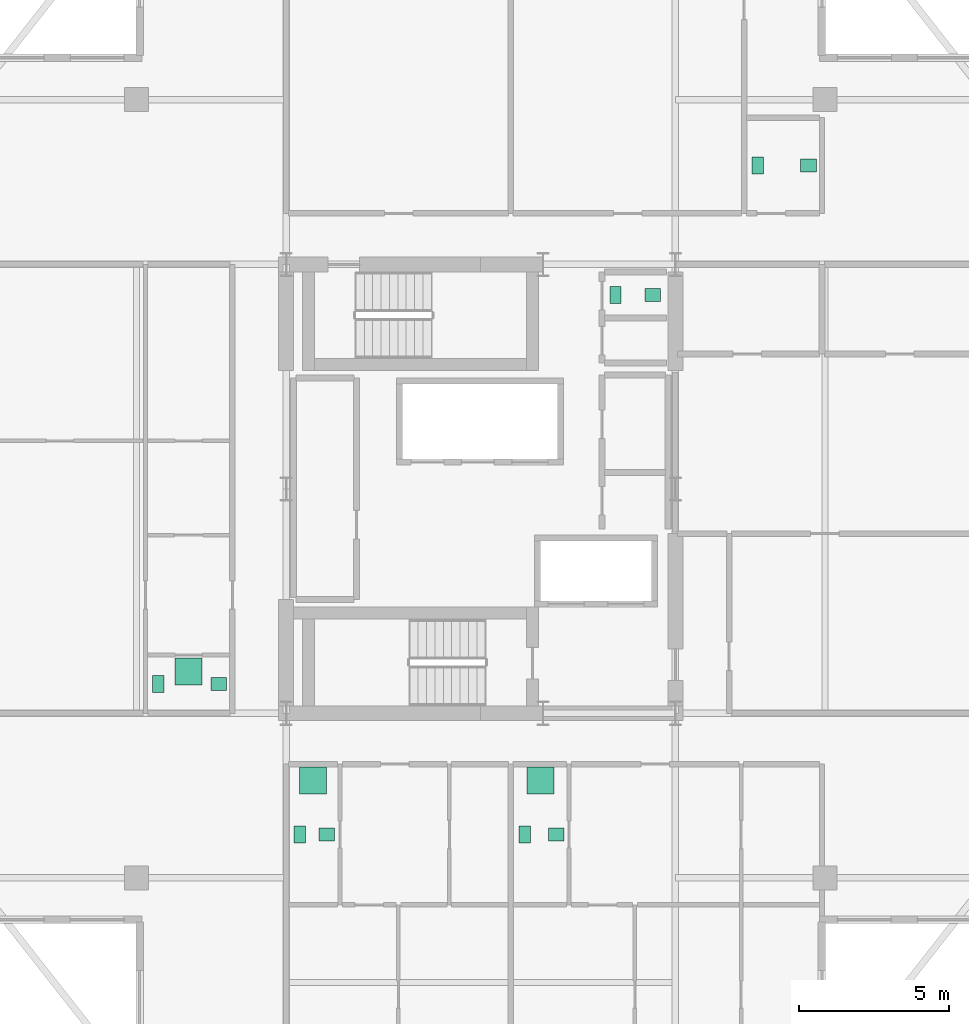
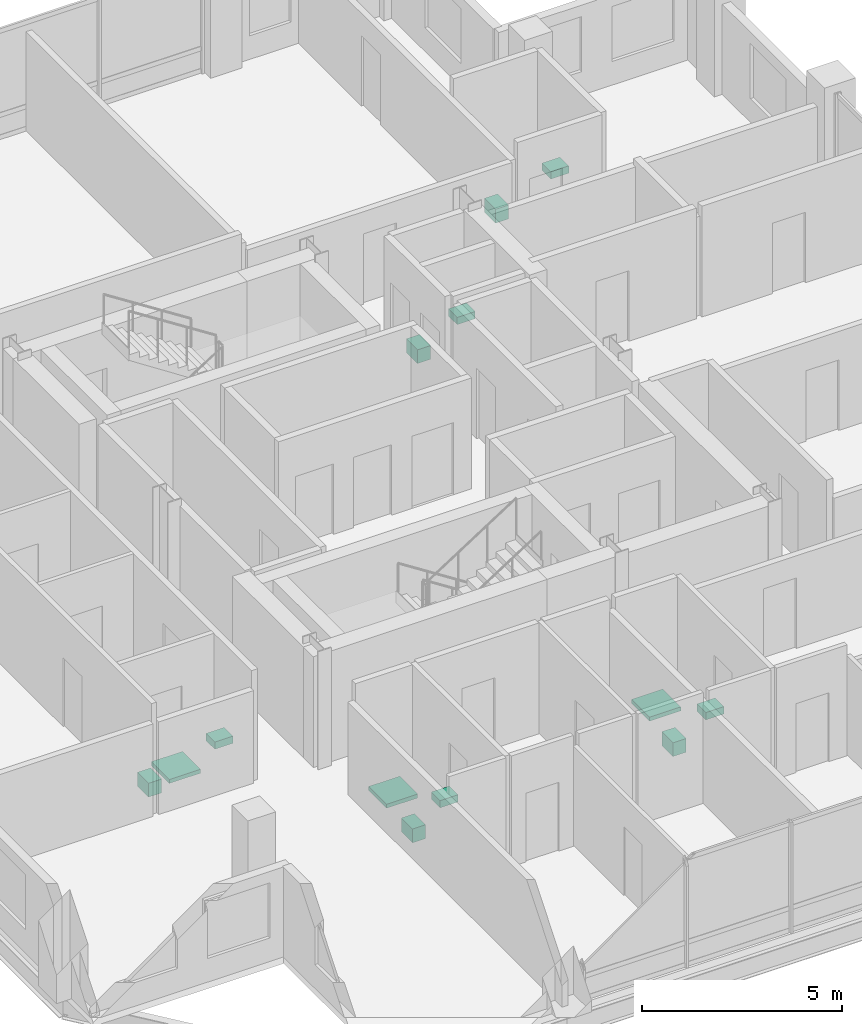
# One storey, part 21 of 21: 13 sanitary terminals.
"""IFC4 building model written with IfcOpenShell, lengths in metres."""

import ifcopenshell
import ifcopenshell.guid

model = None  # the IFC model being written
_history = None  # IfcOwnerHistory: only IFC2X3 demands one
_inside = {}  # id of a spatial element -> (the spatial element, [elements in it])
_under = {}  # id of a project, library or spatial element -> (it, [spatial elements below it])
_declared = {}  # id of a project -> (the project, [libraries it declares])
_typed = {}  # id of a type object -> (the type object, [elements of that type])
_made_of = {}  # id of a material, layer set ... -> (it, [elements and type objects made of it])


def new_model(schema):
    """Start an empty IFC model of exactly this schema.

    Asked for "IFC4X3", IfcOpenShell would pick the latest addendum, in which some entities
    have other attributes; the version numbers below select the first issue.
    IFC2X3 requires an IfcOwnerHistory on every rooted entity: one is made here for all.
    """
    global model, _history
    if schema == "IFC4X3":
        model = ifcopenshell.file(schema_version=(4, 3, 0, 0))
    else:
        model = ifcopenshell.file(schema=schema)
    _inside.clear()
    _under.clear()
    _declared.clear()
    _typed.clear()
    _made_of.clear()
    _history = None
    if model.schema == "IFC2X3":
        org = make("IfcOrganization", Name="unknown")
        user = make(
            "IfcPersonAndOrganization",
            ThePerson=make("IfcPerson", FamilyName="unknown"),
            TheOrganization=org,
        )
        app = make(
            "IfcApplication",
            ApplicationDeveloper=org,
            Version="unknown",
            ApplicationFullName="unknown",
            ApplicationIdentifier="unknown",
        )
        _history = make(
            "IfcOwnerHistory",
            OwningUser=user,
            OwningApplication=app,
            ChangeAction="ADDED",
            CreationDate=0,
        )
    return model


def make(cls, **values):
    """One entity of the class cls with the attributes given. An attribute that is None is left unset."""
    return model.create_entity(
        cls, **{name: value for name, value in values.items() if value is not None}
    )


def rooted(cls, **values):
    """An entity with a GlobalId (a new one), such as an element, a storey or a relation."""
    return make(cls, GlobalId=ifcopenshell.guid.new(), OwnerHistory=_history, **values)


def si_unit(unit_type, name, prefix=None):
    """IfcSIUnit, for example si_unit("LENGTHUNIT", "METRE", prefix="MILLI")."""
    return make("IfcSIUnit", UnitType=unit_type, Prefix=prefix, Name=name)


def assignment(units):
    """IfcUnitAssignment: the units of a project."""
    return None if units is None else make("IfcUnitAssignment", Units=units)


def point(xyz):
    """IfcCartesianPoint."""
    return None if xyz is None else make("IfcCartesianPoint", Coordinates=xyz)


def direction(xyz):
    """IfcDirection."""
    return None if xyz is None else make("IfcDirection", DirectionRatios=xyz)


def frame(location, z_axis=None, x_axis=None):
    """IfcAxis2Placement3D, a coordinate frame: its origin and axes. An axis left out is left unset."""
    return make(
        "IfcAxis2Placement3D",
        Location=point(location),
        Axis=direction(z_axis),
        RefDirection=direction(x_axis),
    )


def frame_2d(location, x_axis=None):
    """IfcAxis2Placement2D, a coordinate frame in the plane: its origin and x axis."""
    return make(
        "IfcAxis2Placement2D", Location=point(location), RefDirection=direction(x_axis)
    )


def origin():
    """The frame at (0, 0, 0) with its axes left unset."""
    return frame((0.0, 0.0, 0.0))


def origin_2d():
    """The frame at (0, 0) in the plane with its x axis left unset."""
    return frame_2d((0.0, 0.0))


def place(relative_to, where):
    """IfcLocalPlacement: puts the frame where relative to a parent placement (None: the world)."""
    return make(
        "IfcLocalPlacement", PlacementRelTo=relative_to, RelativePlacement=where
    )


def context(
    kind, dimensions, precision=None, world=None, true_north=None, identifier=None
):
    """IfcGeometricRepresentationContext, for example the 3D "Model" context."""
    return make(
        "IfcGeometricRepresentationContext",
        ContextIdentifier=identifier,
        ContextType=kind,
        CoordinateSpaceDimension=dimensions,
        Precision=precision,
        WorldCoordinateSystem=world,
        TrueNorth=true_north,
    )


def subcontext(parent, identifier, kind, view, scale=None):
    """IfcGeometricRepresentationSubContext, for example "Body" below "Model"."""
    return make(
        "IfcGeometricRepresentationSubContext",
        ContextIdentifier=identifier,
        ContextType=kind,
        ParentContext=parent,
        TargetScale=scale,
        TargetView=view,
    )


def project(units=None, contexts=None):
    """IfcProject with its units and contexts."""
    return rooted(
        "IfcProject",
        Name="project",
        RepresentationContexts=contexts,
        UnitsInContext=assignment(units),
    )


def spatial(cls, under=None, at=None, **own):
    """A site, building, storey or space (cls), placed at a placement, below another one or the project."""
    s = rooted(cls, ObjectPlacement=at, **own)
    if under is not None:
        _under.setdefault(under.id(), (under, []))[1].append(s)
    return s


def profile(cls, at=None, kind="AREA", **sizes):
    """A parametric profile (cls). Its sizes go by their IFC names, for example OverallWidth=200.0."""
    return make(cls, ProfileType=kind, Position=at, **sizes)


def rectangle(**sizes):
    """IfcRectangleProfileDef."""
    return profile("IfcRectangleProfileDef", **sizes)


def extrude(swept, where, along, depth):
    """IfcExtrudedAreaSolid: the profile swept, set in the frame where, extruded along a direction by depth."""
    return make(
        "IfcExtrudedAreaSolid",
        SweptArea=swept,
        Position=where,
        ExtrudedDirection=direction(along),
        Depth=depth,
    )


def shape(context_of_items, identifier, shape_type, items):
    """IfcShapeRepresentation: the items that make up one representation, for example the "Body"."""
    return make(
        "IfcShapeRepresentation",
        ContextOfItems=context_of_items,
        RepresentationIdentifier=identifier,
        RepresentationType=shape_type,
        Items=items,
    )


def material(Name=None, Category=None):
    """IfcMaterial."""
    return make("IfcMaterial", Name=Name, Category=Category)


def made_of(thing, what):
    """Note that an element or type object is made of a material, layer set ...; save() writes the relation."""
    if what is not None:
        _made_of.setdefault(what.id(), (what, []))[1].append(thing)
    return thing


def type_object(cls, material=None, **own):
    """A type object (cls), such as IfcWallType, which elements share."""
    return made_of(rooted(cls, **own), material)


def element(
    cls,
    number,
    at=None,
    inside=None,
    cuts=None,
    type_object=None,
    material=None,
    context=None,
    identifier="Body",
    shape_type=None,
    held_by="IfcProductDefinitionShape",
    body=None,
    shapes=None,
    **own,
):
    """One element of the class cls, such as IfcWall. Its Tag is "e" and its number.

    at: its placement. inside: the storey or other place that contains it. cuts: it is an
    opening in that element (IfcRelVoidsElement). A single representation is given by context,
    identifier, shape_type and body (its items); several are given by shapes. held_by: the class
    of the entity that holds the representations. save() writes the other relations.
    """
    e = rooted(cls, Tag="e%d" % number, ObjectPlacement=at, **own)
    if body is not None:
        shapes = [shape(context, identifier, shape_type, body)]
    if shapes is not None:
        e.Representation = make(held_by, Representations=shapes)
    if inside is not None:
        _inside.setdefault(inside.id(), (inside, []))[1].append(e)
    if cuts is not None:
        rooted(
            "IfcRelVoidsElement", RelatingBuildingElement=cuts, RelatedOpeningElement=e
        )
    if type_object is not None:
        _typed.setdefault(type_object.id(), (type_object, []))[1].append(e)
    return made_of(e, material)


def aggregate(whole, parts):
    """IfcRelAggregates: a whole, such as a stair, and the parts it consists of."""
    return rooted("IfcRelAggregates", RelatingObject=whole, RelatedObjects=parts)


def save(model, path):
    """Write the relations noted so far, then the file.

    IfcRelAggregates (storeys below a building ...), IfcRelContainedInSpatialStructure (elements
    in a storey), IfcRelDefinesByType, IfcRelAssociatesMaterial and IfcRelDeclares: one each for
    every whole, place, type object, material and project.
    """
    for whole, parts in _under.values():
        aggregate(whole, parts)
    for where, things in _inside.values():
        rooted(
            "IfcRelContainedInSpatialStructure",
            RelatedElements=things,
            RelatingStructure=where,
        )
    for kind, things in _typed.values():
        rooted("IfcRelDefinesByType", RelatedObjects=things, RelatingType=kind)
    for what, things in _made_of.values():
        rooted("IfcRelAssociatesMaterial", RelatedObjects=things, RelatingMaterial=what)
    for by, libraries in _declared.values():
        rooted("IfcRelDeclares", RelatingContext=by, RelatedDefinitions=libraries)
    model.write(path)


model = new_model("IFC4")

# Units and contexts
model_context = context("Model", 3, precision=1e-05, world=origin(), true_north=direction((0.0, 1.0)))
body_context = subcontext(model_context, "Body", "Model", "MODEL_VIEW")
ifc_project = project(units=[si_unit("LENGTHUNIT", "METRE"), si_unit("AREAUNIT", "SQUARE_METRE"), si_unit("VOLUMEUNIT", "CUBIC_METRE"), si_unit("PLANEANGLEUNIT", "RADIAN"), si_unit("MASSUNIT", "GRAM", prefix="KILO")], contexts=[model_context])

# Site, building, storey
site_placement = place(None, origin())
site = spatial("IfcSite", under=ifc_project, at=site_placement, CompositionType="ELEMENT")
building_placement = place(site_placement, origin())
building = spatial("IfcBuilding", under=site, at=building_placement, Name="Barlavira Tower and Art Museum", CompositionType="ELEMENT")
storey_placement = place(building_placement, frame((0.0, 0.0, 297.89990234375)))
storey = spatial("IfcBuildingStorey", under=building, at=storey_placement, Name="L78", CompositionType="ELEMENT", Elevation=297.89990234375)

# Sanitary terminals
ifc_material = material(Name="Vitreous glazed ceramic", Category="ceramic")
sanitary_terminal_type_1 = type_object("IfcSanitaryTerminalType", Name="Countertop Ceramic Wash Hand Basin", PredefinedType="WASHHANDBASIN", material=ifc_material)
for number, where, z_axis, x_axis, name in (
    (1, (5.75, 6.47509765625, 0.740234375), (0.0, 0.0, 1.0), (1.0, 0.0, 0.0), "L78-C-WC1 Wash Basin"),
    (2, (-5.14990234375, -11.550048828125, 0.740234375), (0.0, 0.0, 1.0), (1.0, 0.0, 0.0), "L78-S1-BTH1 Wash Basin"),
    (3, (2.52001953125, -11.550048828125, 0.740234375), (0.0, 0.0, 1.0), (1.0, 0.0, 0.0), "L78-S2-BTH1 Wash Basin"),
    (4, (10.949951171875, 10.800048828125, 0.740234375), (0.0, 0.0, 1.0), (1.0, 0.0, 0.0), "L78-N-SWC Wash Basin"),
    (5, (-8.75, -6.52490234375, 0.740234375), (0.0, 0.0, 1.0), (1.0, 0.0, 0.0), "L78-W1-BTH1 Wash Basin"),
):
    element("IfcSanitaryTerminal", number, at=place(storey_placement, frame(where, z_axis=z_axis, x_axis=x_axis)), inside=storey, type_object=sanitary_terminal_type_1, Name=name, PredefinedType="WASHHANDBASIN", context=body_context, shape_type="SweptSolid", body=[
        extrude(rectangle(XDim=0.52001953125, YDim=0.43994140625, at=origin_2d()), origin(), (0.0, 0.0, 1.0), 0.219970703125),
    ])
sanitary_terminal_type_2 = type_object("IfcSanitaryTerminalType", Name="Walk-In Thermostatic Rain Shower Unit", PredefinedType="SHOWER", material=ifc_material)
for number, where, z_axis, x_axis, name in (
    (6, (-5.60009765625, -9.75, 0.0), (0.0, 0.0, 1.0), (1.0, 0.0, 0.0), "L78-S1-BTH1 Rain Shower"),
    (7, (1.9951171875, -9.75, 0.0), (0.0, 0.0, 1.0), (1.0, 0.0, 0.0), "L78-S2-BTH1 Rain Shower"),
    (8, (-9.760009765625, -6.10009765625, 0.0), (0.0, 0.0, 1.0), (1.0, 0.0, 0.0), "L78-W1-BTH1 Rain Shower"),
):
    element("IfcSanitaryTerminal", number, at=place(storey_placement, frame(where, z_axis=z_axis, x_axis=x_axis)), inside=storey, type_object=sanitary_terminal_type_2, Name=name, PredefinedType="SHOWER", context=body_context, shape_type="SweptSolid", body=[
        extrude(rectangle(XDim=0.89990234375, YDim=0.89990234375, at=origin_2d()), origin(), (0.0, 0.0, 1.0), 0.1201171875),
    ])
sanitary_terminal_type_3 = type_object("IfcSanitaryTerminalType", Name="Wall-Hung Dual-Flush Vitreous WC Pan", PredefinedType="TOILETPAN", material=ifc_material)
for number, where, z_axis, x_axis, name in (
    (9, (4.5, 6.47509765625, 0.000244140625), (0.0, 0.0, 1.0), (1.0, 0.0, 0.0), "L78-C-WC1 WC Pan"),
    (10, (-6.050048828125, -11.550048828125, 0.000244140625), (0.0, 0.0, 1.0), (1.0, 0.0, 0.0), "L78-S1-BTH1 WC Pan"),
    (11, (1.469970703125, -11.550048828125, 0.000244140625), (0.0, 0.0, 1.0), (1.0, 0.0, 0.0), "L78-S2-BTH1 WC Pan"),
    (12, (9.25, 10.800048828125, 0.000244140625), (0.0, 0.0, 1.0), (1.0, 0.0, 0.0), "L78-N-SWC WC Pan"),
    (13, (-10.77001953125, -6.52490234375, 0.000244140625), (0.0, 0.0, 1.0), (1.0, 0.0, 0.0), "L78-W1-BTH1 WC Pan"),
):
    element("IfcSanitaryTerminal", number, at=place(storey_placement, frame(where, z_axis=z_axis, x_axis=x_axis)), inside=storey, type_object=sanitary_terminal_type_3, Name=name, PredefinedType="TOILETPAN", context=body_context, shape_type="SweptSolid", body=[
        extrude(rectangle(XDim=0.3798828125, YDim=0.56005859375, at=origin_2d()), origin(), (0.0, 0.0, 1.0), 0.419921875),
    ])

save(model, "model.ifc")
